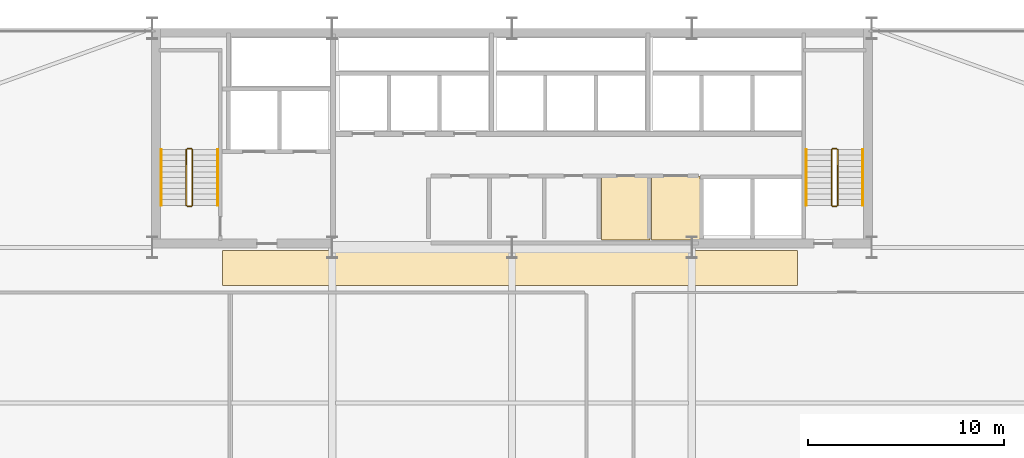
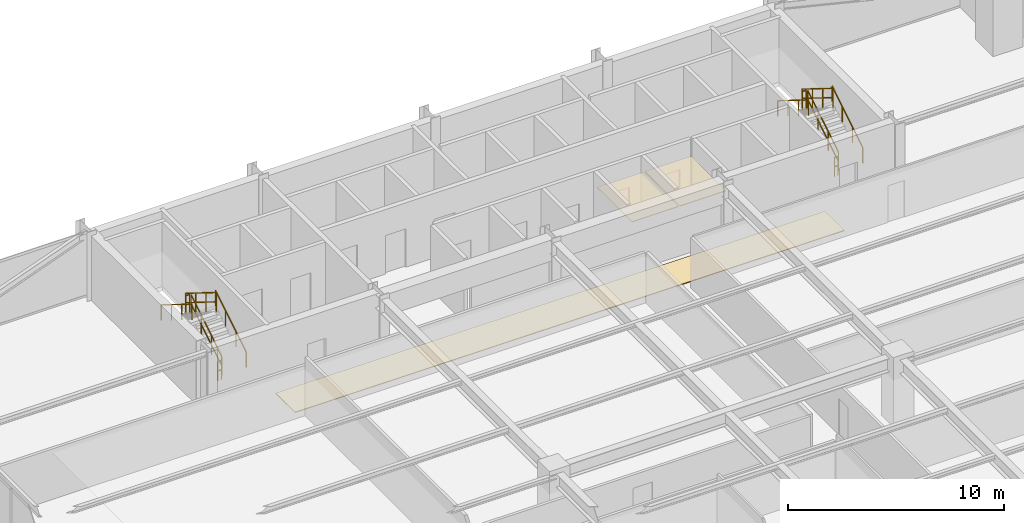
# One storey, part 30 of 30: 12 railings, 3 coverings.
"""IFC4 building model written with IfcOpenShell, lengths in metres."""

from ifc_helpers import new_model, si_unit, direction, frame, origin, origin_2d, place, context, subcontext, project, spatial, polyline, rectangle, outline, extrude, material, layer, layer_set, type_object, element, save


model = new_model("IFC4")

# Units and contexts
model_context = context("Model", 3, precision=1e-05, world=origin(), true_north=direction((0.0, 1.0)))
body_context = subcontext(model_context, "Body", "Model", "MODEL_VIEW")
ifc_project = project(units=[si_unit("LENGTHUNIT", "METRE"), si_unit("AREAUNIT", "SQUARE_METRE"), si_unit("VOLUMEUNIT", "CUBIC_METRE"), si_unit("PLANEANGLEUNIT", "RADIAN"), si_unit("MASSUNIT", "GRAM", prefix="KILO")], contexts=[model_context])

# Site, building, storey
site_placement = place(None, origin())
site = spatial("IfcSite", under=ifc_project, at=site_placement, CompositionType="ELEMENT")
building_placement = place(site_placement, origin())
building = spatial("IfcBuilding", under=site, at=building_placement, Name="Varnel Quay Broadcast Tower", CompositionType="ELEMENT")
storey_placement = place(building_placement, frame((0.0, 0.0, 62.699951171875)))
storey = spatial("IfcBuildingStorey", under=building, at=storey_placement, Name="L14", CompositionType="ELEMENT", Elevation=62.699951171875)

# Coverings
ifc_material_1 = material(Name="Micro-Perforated Acoustic Ceiling Tile")
ifc_layer_1 = layer(ifc_material_1, 0.0400390625, Name="Micro-Perforated Acoustic Ceiling Tile")
ifc_layer_set_1 = layer_set([ifc_layer_1], Name="Micro-Perforated Acoustic Ceiling Tile")
covering_type_1 = type_object("IfcCoveringType", Name="Cov_AcousticCeiling", PredefinedType="CEILING", material=ifc_layer_set_1)
covering_1_placement = place(storey_placement, frame((0.0, 0.0, 2.580078125)))
element("IfcCovering", 1, at=covering_1_placement, inside=storey, type_object=covering_type_1, Name="L14 Cleaners' & Linen Store Acoustic Ceiling", PredefinedType="CEILING", context=body_context, shape_type="SweptSolid", body=[
    extrude(outline(polyline([(38.5849609375, 35.985107421875), (41.06494140625, 35.985107421875), (41.06494140625, 39.215087890625), (38.5849609375, 39.215087890625), (38.5849609375, 35.985107421875)])), origin(), (0.0, 0.0, 1.0), 0.0400390625),
])
covering_2_placement = place(storey_placement, frame((0.0, 0.0, 2.580078125)))
element("IfcCovering", 2, at=covering_2_placement, inside=storey, type_object=covering_type_1, Name="L14 Telecom IDF Closet Acoustic Ceiling", PredefinedType="CEILING", context=body_context, shape_type="SweptSolid", body=[
    extrude(outline(polyline([(41.135009765625, 35.985107421875), (43.614990234375, 35.985107421875), (43.614990234375, 39.215087890625), (41.135009765625, 39.215087890625), (41.135009765625, 35.985107421875)])), origin(), (0.0, 0.0, 1.0), 0.0400390625),
])
ifc_material_2 = material(Name="Polished Terrazzo & Broadcast Raised Flooring")
ifc_layer_2 = layer(ifc_material_2, 0.0400390625, Name="Polished Terrazzo & Broadcast Raised Flooring")
ifc_layer_set_2 = layer_set([ifc_layer_2], Name="Polished Terrazzo & Broadcast Raised Flooring")
covering_type_2 = type_object("IfcCoveringType", Name="Cov_TerrazzoFloor", PredefinedType="FLOORING", material=ifc_layer_set_2)
covering_3_placement = place(storey_placement, origin())
element("IfcCovering", 3, at=covering_3_placement, inside=storey, type_object=covering_type_2, Name="L14 Corridor Terrazzo Flooring", PredefinedType="FLOORING", context=body_context, shape_type="SweptSolid", body=[
    extrude(outline(polyline([(19.199951171875, 33.64990234375), (48.60009765625, 33.64990234375), (48.60009765625, 35.449951171875), (19.199951171875, 35.449951171875), (19.199951171875, 33.64990234375)])), origin(), (0.0, 0.0, 1.0), 0.0400390625),
])

# Railings
ifc_material_3 = material(Name="Painted Steel Guard and Handrail CSA G40.21 350W", Category="steel")
railing_type_1 = type_object("IfcRailingType", Name="Rail_StairGuard1100", PredefinedType="GUARDRAIL", material=ifc_material_3)
railing_1_placement = place(storey_placement, frame((17.64990234375, 37.75, 0.17724609375)))
element("IfcRailing", 4, at=railing_1_placement, inside=storey, type_object=railing_type_1, Name="L14 ST-01 stair guard 1", PredefinedType="GUARDRAIL", context=body_context, shape_type="SweptSolid", body=[
    extrude(rectangle(XDim=0.048095703125, YDim=0.048095703125, at=origin_2d()), frame((0.0, 0.0, 1.076171875), z_axis=(0.0, 0.849148672731, 0.528153890072), x_axis=(-1.0, 0.0, 0.0)), (0.0, 0.0, 1.0), 3.3564453125),
    extrude(rectangle(XDim=0.048095703125, YDim=0.048095703125, at=origin_2d()), frame((0.0, 0.0, 0.550048828125), z_axis=(0.0, 0.849148672731, 0.528153890072), x_axis=(-1.0, 0.0, 0.0)), (0.0, 0.0, 1.0), 3.3564453125),
    extrude(rectangle(XDim=0.0419921875, YDim=0.0419921875, at=origin_2d()), origin(), (0.0, 0.0, 1.0), 1.052001953125),
    extrude(rectangle(XDim=0.0419921875, YDim=0.0419921875, at=origin_2d()), frame((0.0, 0.949951171875, 0.5908203125)), (0.0, 0.0, 1.0), 1.052001953125),
    extrude(rectangle(XDim=0.0419921875, YDim=0.0419921875, at=origin_2d()), frame((0.0, 1.900146484375, 1.181884765625)), (0.0, 0.0, 1.0), 1.052001953125),
    extrude(rectangle(XDim=0.0419921875, YDim=0.0419921875, at=origin_2d()), frame((0.0, 2.85009765625, 1.772705078125)), (0.0, 0.0, 1.0), 1.052001953125),
])
railing_2_placement = place(storey_placement, frame((17.60009765625, 40.64990234375, 1.949951171875)))
element("IfcRailing", 5, at=railing_2_placement, inside=storey, type_object=railing_type_1, Name="L14 ST-01 stair guard 2", PredefinedType="GUARDRAIL", context=body_context, shape_type="SweptSolid", body=[
    extrude(rectangle(XDim=0.048095703125, YDim=0.048095703125, at=origin_2d()), frame((0.0, 0.0, 1.076171875), z_axis=(-1.0, 0.0, 0.0), x_axis=(0.0, -1.0, 0.0)), (0.0, 0.0, 1.0), 0.2001953125),
    extrude(rectangle(XDim=0.048095703125, YDim=0.048095703125, at=origin_2d()), frame((0.0, 0.0, 0.550048828125), z_axis=(-1.0, 0.0, 0.0), x_axis=(0.0, -1.0, 0.0)), (0.0, 0.0, 1.0), 0.2001953125),
    extrude(rectangle(XDim=0.0419921875, YDim=0.0419921875, at=origin_2d()), origin(), (0.0, 0.0, 1.0), 1.052001953125),
    extrude(rectangle(XDim=0.0419921875, YDim=0.0419921875, at=origin_2d()), frame((-0.2001953125, 0.0, 0.0)), (0.0, 0.0, 1.0), 1.052001953125),
])
railing_3_placement = place(storey_placement, frame((17.35009765625, 40.60009765625, 2.12744140625)))
element("IfcRailing", 6, at=railing_3_placement, inside=storey, type_object=railing_type_1, Name="L14 ST-01 stair guard 3", PredefinedType="GUARDRAIL", context=body_context, shape_type="SweptSolid", body=[
    extrude(rectangle(XDim=0.048095703125, YDim=0.048095703125, at=origin_2d()), frame((0.0, 0.0, 1.076171875), z_axis=(0.0, -0.849148672731, 0.528153890072), x_axis=(1.0, 0.0, 0.0)), (0.0, 0.0, 1.0), 3.3564453125),
    extrude(rectangle(XDim=0.048095703125, YDim=0.048095703125, at=origin_2d()), frame((0.0, 0.0, 0.550048828125), z_axis=(0.0, -0.849148672731, 0.528153890072), x_axis=(1.0, 0.0, 0.0)), (0.0, 0.0, 1.0), 3.3564453125),
    extrude(rectangle(XDim=0.0419921875, YDim=0.0419921875, at=origin_2d()), origin(), (0.0, 0.0, 1.0), 1.052001953125),
    extrude(rectangle(XDim=0.0419921875, YDim=0.0419921875, at=origin_2d()), frame((0.0, -0.949951171875, 0.5908203125)), (0.0, 0.0, 1.0), 1.052001953125),
    extrude(rectangle(XDim=0.0419921875, YDim=0.0419921875, at=origin_2d()), frame((0.0, -1.900146484375, 1.181884765625)), (0.0, 0.0, 1.0), 1.052001953125),
    extrude(rectangle(XDim=0.0419921875, YDim=0.0419921875, at=origin_2d()), frame((0.0, -2.85009765625, 1.772705078125)), (0.0, 0.0, 1.0), 1.052001953125),
])
railing_4_placement = place(storey_placement, frame((17.60009765625, 37.699951171875, 0.0)))
element("IfcRailing", 7, at=railing_4_placement, inside=storey, type_object=railing_type_1, Name="L14 ST-01 stair guard 4", PredefinedType="GUARDRAIL", context=body_context, shape_type="SweptSolid", body=[
    extrude(rectangle(XDim=0.048095703125, YDim=0.048095703125, at=origin_2d()), frame((0.0, 0.0, 1.076171875), z_axis=(-1.0, 0.0, 0.0), x_axis=(0.0, -1.0, 0.0)), (0.0, 0.0, 1.0), 0.2001953125),
    extrude(rectangle(XDim=0.048095703125, YDim=0.048095703125, at=origin_2d()), frame((0.0, 0.0, 0.550048828125), z_axis=(-1.0, 0.0, 0.0), x_axis=(0.0, -1.0, 0.0)), (0.0, 0.0, 1.0), 0.2001953125),
    extrude(rectangle(XDim=0.0419921875, YDim=0.0419921875, at=origin_2d()), origin(), (0.0, 0.0, 1.0), 1.052001953125),
    extrude(rectangle(XDim=0.0419921875, YDim=0.0419921875, at=origin_2d()), frame((-0.2001953125, 0.0, 0.0)), (0.0, 0.0, 1.0), 1.052001953125),
])
railing_5_placement = place(storey_placement, frame((50.64990234375, 37.75, 0.17724609375)))
element("IfcRailing", 8, at=railing_5_placement, inside=storey, type_object=railing_type_1, Name="L14 ST-02 stair guard 1", PredefinedType="GUARDRAIL", context=body_context, shape_type="SweptSolid", body=[
    extrude(rectangle(XDim=0.048095703125, YDim=0.048095703125, at=origin_2d()), frame((0.0, 0.0, 1.076171875), z_axis=(0.0, 0.849148672731, 0.528153890072), x_axis=(-1.0, 0.0, 0.0)), (0.0, 0.0, 1.0), 3.3564453125),
    extrude(rectangle(XDim=0.048095703125, YDim=0.048095703125, at=origin_2d()), frame((0.0, 0.0, 0.550048828125), z_axis=(0.0, 0.849148672731, 0.528153890072), x_axis=(-1.0, 0.0, 0.0)), (0.0, 0.0, 1.0), 3.3564453125),
    extrude(rectangle(XDim=0.0419921875, YDim=0.0419921875, at=origin_2d()), origin(), (0.0, 0.0, 1.0), 1.052001953125),
    extrude(rectangle(XDim=0.0419921875, YDim=0.0419921875, at=origin_2d()), frame((0.0, 0.949951171875, 0.5908203125)), (0.0, 0.0, 1.0), 1.052001953125),
    extrude(rectangle(XDim=0.0419921875, YDim=0.0419921875, at=origin_2d()), frame((0.0, 1.900146484375, 1.181884765625)), (0.0, 0.0, 1.0), 1.052001953125),
    extrude(rectangle(XDim=0.0419921875, YDim=0.0419921875, at=origin_2d()), frame((0.0, 2.85009765625, 1.772705078125)), (0.0, 0.0, 1.0), 1.052001953125),
])
railing_6_placement = place(storey_placement, frame((50.60009765625, 40.64990234375, 1.949951171875)))
element("IfcRailing", 9, at=railing_6_placement, inside=storey, type_object=railing_type_1, Name="L14 ST-02 stair guard 2", PredefinedType="GUARDRAIL", context=body_context, shape_type="SweptSolid", body=[
    extrude(rectangle(XDim=0.048095703125, YDim=0.048095703125, at=origin_2d()), frame((0.0, 0.0, 1.076171875), z_axis=(-1.0, 0.0, 0.0), x_axis=(0.0, -1.0, 0.0)), (0.0, 0.0, 1.0), 0.2001953125),
    extrude(rectangle(XDim=0.048095703125, YDim=0.048095703125, at=origin_2d()), frame((0.0, 0.0, 0.550048828125), z_axis=(-1.0, 0.0, 0.0), x_axis=(0.0, -1.0, 0.0)), (0.0, 0.0, 1.0), 0.2001953125),
    extrude(rectangle(XDim=0.0419921875, YDim=0.0419921875, at=origin_2d()), origin(), (0.0, 0.0, 1.0), 1.052001953125),
    extrude(rectangle(XDim=0.0419921875, YDim=0.0419921875, at=origin_2d()), frame((-0.2001953125, 0.0, 0.0)), (0.0, 0.0, 1.0), 1.052001953125),
])
railing_7_placement = place(storey_placement, frame((50.35009765625, 40.60009765625, 2.12744140625)))
element("IfcRailing", 10, at=railing_7_placement, inside=storey, type_object=railing_type_1, Name="L14 ST-02 stair guard 3", PredefinedType="GUARDRAIL", context=body_context, shape_type="SweptSolid", body=[
    extrude(rectangle(XDim=0.048095703125, YDim=0.048095703125, at=origin_2d()), frame((0.0, 0.0, 1.076171875), z_axis=(0.0, -0.849148672731, 0.528153890072), x_axis=(1.0, 0.0, 0.0)), (0.0, 0.0, 1.0), 3.3564453125),
    extrude(rectangle(XDim=0.048095703125, YDim=0.048095703125, at=origin_2d()), frame((0.0, 0.0, 0.550048828125), z_axis=(0.0, -0.849148672731, 0.528153890072), x_axis=(1.0, 0.0, 0.0)), (0.0, 0.0, 1.0), 3.3564453125),
    extrude(rectangle(XDim=0.0419921875, YDim=0.0419921875, at=origin_2d()), origin(), (0.0, 0.0, 1.0), 1.052001953125),
    extrude(rectangle(XDim=0.0419921875, YDim=0.0419921875, at=origin_2d()), frame((0.0, -0.949951171875, 0.5908203125)), (0.0, 0.0, 1.0), 1.052001953125),
    extrude(rectangle(XDim=0.0419921875, YDim=0.0419921875, at=origin_2d()), frame((0.0, -1.900146484375, 1.181884765625)), (0.0, 0.0, 1.0), 1.052001953125),
    extrude(rectangle(XDim=0.0419921875, YDim=0.0419921875, at=origin_2d()), frame((0.0, -2.85009765625, 1.772705078125)), (0.0, 0.0, 1.0), 1.052001953125),
])
railing_8_placement = place(storey_placement, frame((50.60009765625, 37.699951171875, 0.0)))
element("IfcRailing", 11, at=railing_8_placement, inside=storey, type_object=railing_type_1, Name="L14 ST-02 stair guard 4", PredefinedType="GUARDRAIL", context=body_context, shape_type="SweptSolid", body=[
    extrude(rectangle(XDim=0.048095703125, YDim=0.048095703125, at=origin_2d()), frame((0.0, 0.0, 1.076171875), z_axis=(-1.0, 0.0, 0.0), x_axis=(0.0, -1.0, 0.0)), (0.0, 0.0, 1.0), 0.2001953125),
    extrude(rectangle(XDim=0.048095703125, YDim=0.048095703125, at=origin_2d()), frame((0.0, 0.0, 0.550048828125), z_axis=(-1.0, 0.0, 0.0), x_axis=(0.0, -1.0, 0.0)), (0.0, 0.0, 1.0), 0.2001953125),
    extrude(rectangle(XDim=0.0419921875, YDim=0.0419921875, at=origin_2d()), origin(), (0.0, 0.0, 1.0), 1.052001953125),
    extrude(rectangle(XDim=0.0419921875, YDim=0.0419921875, at=origin_2d()), frame((-0.2001953125, 0.0, 0.0)), (0.0, 0.0, 1.0), 1.052001953125),
])
railing_type_2 = type_object("IfcRailingType", Name="Rail_StairHandrail900", PredefinedType="HANDRAIL", material=ifc_material_3)
railing_9_placement = place(storey_placement, frame((18.949951171875, 37.75, 0.17724609375)))
element("IfcRailing", 12, at=railing_9_placement, inside=storey, type_object=railing_type_2, Name="L14 ST-01 stair handrail 1", PredefinedType="HANDRAIL", context=body_context, shape_type="SweptSolid", body=[
    extrude(rectangle(XDim=0.048095703125, YDim=0.048095703125, at=origin_2d()), frame((0.0, 0.0, 0.8759765625), z_axis=(0.0, 0.849148672731, 0.528153890072), x_axis=(-1.0, 0.0, 0.0)), (0.0, 0.0, 1.0), 3.3564453125),
    extrude(rectangle(XDim=0.0419921875, YDim=0.0419921875, at=origin_2d()), origin(), (0.0, 0.0, 1.0), 0.851806640625),
    extrude(rectangle(XDim=0.0419921875, YDim=0.0419921875, at=origin_2d()), frame((0.0, 0.949951171875, 0.5908203125)), (0.0, 0.0, 1.0), 0.851806640625),
    extrude(rectangle(XDim=0.0419921875, YDim=0.0419921875, at=origin_2d()), frame((0.0, 1.900146484375, 1.181884765625)), (0.0, 0.0, 1.0), 0.851806640625),
    extrude(rectangle(XDim=0.0419921875, YDim=0.0419921875, at=origin_2d()), frame((0.0, 2.85009765625, 1.772705078125)), (0.0, 0.0, 1.0), 0.851806640625),
])
railing_10_placement = place(storey_placement, frame((16.050048828125, 40.60009765625, 2.12744140625)))
element("IfcRailing", 13, at=railing_10_placement, inside=storey, type_object=railing_type_2, Name="L14 ST-01 stair handrail 2", PredefinedType="HANDRAIL", context=body_context, shape_type="SweptSolid", body=[
    extrude(rectangle(XDim=0.048095703125, YDim=0.048095703125, at=origin_2d()), frame((0.0, 0.0, 0.8759765625), z_axis=(0.0, -0.849148672731, 0.528153890072), x_axis=(1.0, 0.0, 0.0)), (0.0, 0.0, 1.0), 3.3564453125),
    extrude(rectangle(XDim=0.0419921875, YDim=0.0419921875, at=origin_2d()), origin(), (0.0, 0.0, 1.0), 0.851806640625),
    extrude(rectangle(XDim=0.0419921875, YDim=0.0419921875, at=origin_2d()), frame((0.0, -0.949951171875, 0.5908203125)), (0.0, 0.0, 1.0), 0.851806640625),
    extrude(rectangle(XDim=0.0419921875, YDim=0.0419921875, at=origin_2d()), frame((0.0, -1.900146484375, 1.181884765625)), (0.0, 0.0, 1.0), 0.851806640625),
    extrude(rectangle(XDim=0.0419921875, YDim=0.0419921875, at=origin_2d()), frame((0.0, -2.85009765625, 1.772705078125)), (0.0, 0.0, 1.0), 0.851806640625),
])
railing_11_placement = place(storey_placement, frame((51.949951171875, 37.75, 0.17724609375)))
element("IfcRailing", 14, at=railing_11_placement, inside=storey, type_object=railing_type_2, Name="L14 ST-02 stair handrail 1", PredefinedType="HANDRAIL", context=body_context, shape_type="SweptSolid", body=[
    extrude(rectangle(XDim=0.048095703125, YDim=0.048095703125, at=origin_2d()), frame((0.0, 0.0, 0.8759765625), z_axis=(0.0, 0.849148672731, 0.528153890072), x_axis=(-1.0, 0.0, 0.0)), (0.0, 0.0, 1.0), 3.3564453125),
    extrude(rectangle(XDim=0.0419921875, YDim=0.0419921875, at=origin_2d()), origin(), (0.0, 0.0, 1.0), 0.851806640625),
    extrude(rectangle(XDim=0.0419921875, YDim=0.0419921875, at=origin_2d()), frame((0.0, 0.949951171875, 0.5908203125)), (0.0, 0.0, 1.0), 0.851806640625),
    extrude(rectangle(XDim=0.0419921875, YDim=0.0419921875, at=origin_2d()), frame((0.0, 1.900146484375, 1.181884765625)), (0.0, 0.0, 1.0), 0.851806640625),
    extrude(rectangle(XDim=0.0419921875, YDim=0.0419921875, at=origin_2d()), frame((0.0, 2.85009765625, 1.772705078125)), (0.0, 0.0, 1.0), 0.851806640625),
])
railing_12_placement = place(storey_placement, frame((49.050048828125, 40.60009765625, 2.12744140625)))
element("IfcRailing", 15, at=railing_12_placement, inside=storey, type_object=railing_type_2, Name="L14 ST-02 stair handrail 2", PredefinedType="HANDRAIL", context=body_context, shape_type="SweptSolid", body=[
    extrude(rectangle(XDim=0.048095703125, YDim=0.048095703125, at=origin_2d()), frame((0.0, 0.0, 0.8759765625), z_axis=(0.0, -0.849148672731, 0.528153890072), x_axis=(1.0, 0.0, 0.0)), (0.0, 0.0, 1.0), 3.3564453125),
    extrude(rectangle(XDim=0.0419921875, YDim=0.0419921875, at=origin_2d()), origin(), (0.0, 0.0, 1.0), 0.851806640625),
    extrude(rectangle(XDim=0.0419921875, YDim=0.0419921875, at=origin_2d()), frame((0.0, -0.949951171875, 0.5908203125)), (0.0, 0.0, 1.0), 0.851806640625),
    extrude(rectangle(XDim=0.0419921875, YDim=0.0419921875, at=origin_2d()), frame((0.0, -1.900146484375, 1.181884765625)), (0.0, 0.0, 1.0), 0.851806640625),
    extrude(rectangle(XDim=0.0419921875, YDim=0.0419921875, at=origin_2d()), frame((0.0, -2.85009765625, 1.772705078125)), (0.0, 0.0, 1.0), 0.851806640625),
])

save(model, "model.ifc")
